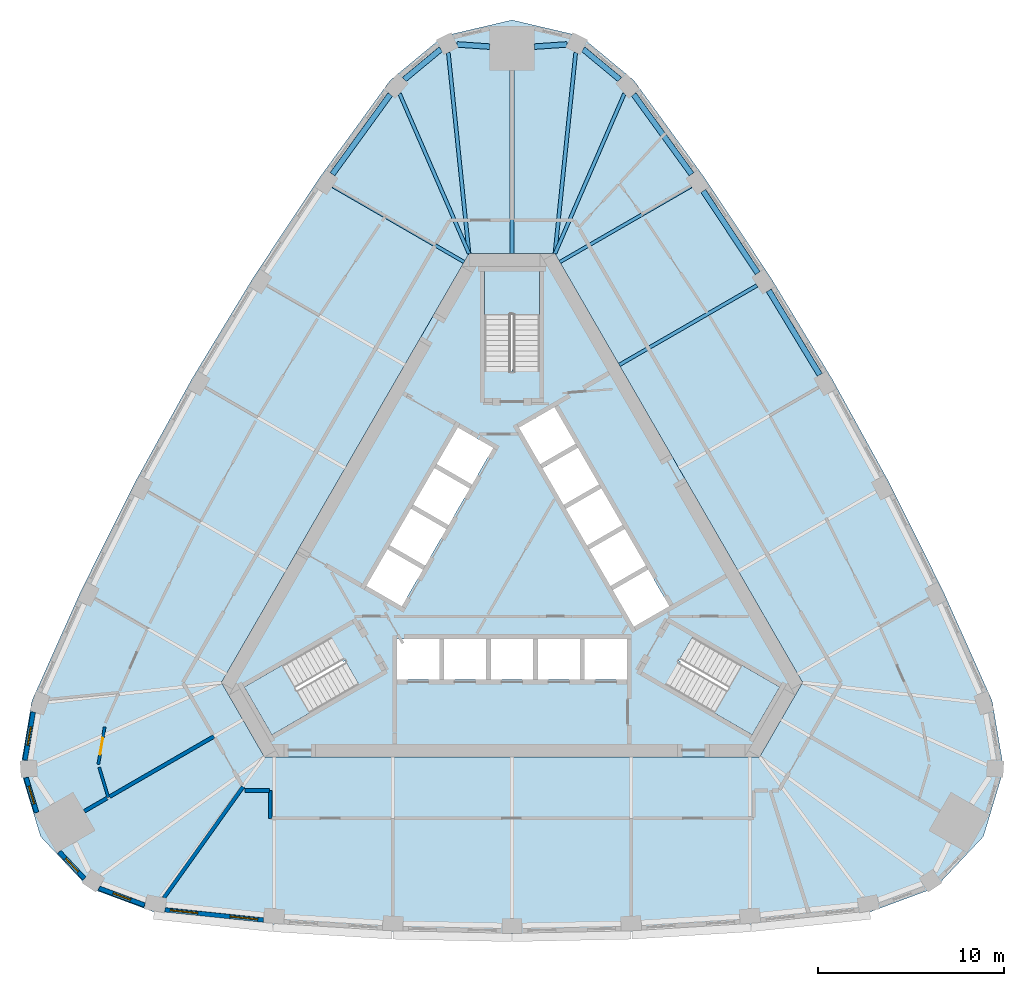
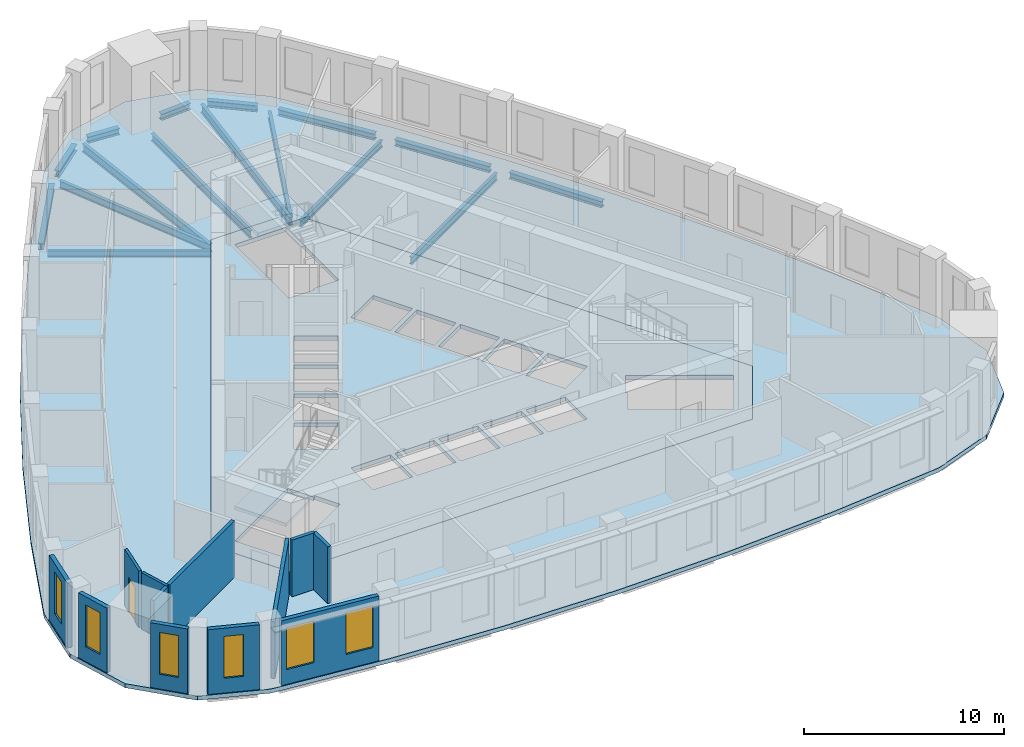
# One storey, part 2 of 11: 16 beams, 12 walls, 6 windows, 5 slabs, 1 door, 7 openings, 3 elements without a shape of their own.
"""IFC4 building model written with IfcOpenShell, lengths in metres."""

from ifc_helpers import new_model, si_unit, direction, frame, frame_2d, origin, origin_2d, place, context, subcontext, project, spatial, polyline, rectangle, i_section, outline, extrude, material, layer, layer_set, material_profile, profile_set, type_object, element, fill, aggregate, save


model = new_model("IFC4")

# Units and contexts
model_context = context("Model", 3, precision=1e-05, world=origin(), true_north=direction((0.0, 1.0)))
body_context = subcontext(model_context, "Body", "Model", "MODEL_VIEW")
ifc_project = project(units=[si_unit("LENGTHUNIT", "METRE"), si_unit("AREAUNIT", "SQUARE_METRE"), si_unit("VOLUMEUNIT", "CUBIC_METRE"), si_unit("PLANEANGLEUNIT", "RADIAN"), si_unit("MASSUNIT", "GRAM", prefix="KILO")], contexts=[model_context])

# Site, building, storey
site_placement = place(None, origin())
site = spatial("IfcSite", under=ifc_project, at=site_placement, CompositionType="ELEMENT")
building_placement = place(site_placement, origin())
building = spatial("IfcBuilding", under=site, at=building_placement, Name="Mestral Congress Tower", CompositionType="ELEMENT")
storey_placement = place(building_placement, frame((0.0, 0.0, 205.800048828125)))
storey = spatial("IfcBuildingStorey", under=building, at=storey_placement, Name="L48", CompositionType="ELEMENT", Elevation=205.800048828125)

# Beams
ifc_material_1 = material(Name="Steel S355", Category="steel")
ifc_material_profile_1 = material_profile(ifc_material_1, i_section(OverallWidth=0.179931640625, OverallDepth=0.39990234375, WebThickness=0.008544921875, FlangeThickness=0.013427734375, FilletRadius=0.02099609375, at=origin_2d()), Name="IPE 400")
ifc_profile_set_1 = profile_set([ifc_material_profile_1], Name="Steel S355")
beam_type_1 = type_object("IfcBeamType", Name="Floor beam IPE 400 S355", PredefinedType="BEAM", material=ifc_profile_set_1)
for number, where, z_axis, x_axis, name in (
    (1, (9.627197265625, 20.321533203125, -0.449951171875), (-0.86601443812, -0.500018992608, 0.0), (0.500018992608, -0.86601443812, 0.0), "BM-L48-RB4-E05"),
    (2, (-9.627197265625, 20.321533203125, -0.449951171875), (0.86601443812, -0.500018992608, 0.0), (0.500018992608, 0.86601443812, 0.0), "BM-L48-RB4-W01"),
):
    element("IfcBeam", number, at=place(storey_placement, frame(where, z_axis=z_axis, x_axis=x_axis)), inside=storey, type_object=beam_type_1, Name=name, PredefinedType="BEAM", context=body_context, shape_type="SweptSolid", body=[
        extrude(i_section(OverallWidth=0.179931640625, OverallDepth=0.39990234375, WebThickness=0.008544921875, FlangeThickness=0.013427734375, FilletRadius=0.02099609375, at=origin_2d()), origin(), (0.0, 0.0, 1.0), 8.148193359375),
    ])
ifc_material_profile_2 = material_profile(ifc_material_1, i_section(OverallWidth=0.18994140625, OverallDepth=0.449951171875, WebThickness=0.009521484375, FlangeThickness=0.0146484375, FilletRadius=0.02099609375, at=origin_2d()), Name="IPE 450")
ifc_profile_set_2 = profile_set([ifc_material_profile_2], Name="Steel S355")
beam_type_2 = type_object("IfcBeamType", Name="Floor beam IPE 450 S355", PredefinedType="BEAM", material=ifc_profile_set_2)
beam_1_placement = place(storey_placement, frame((13.16650390625, 14.98974609375, -0.47509765625), z_axis=(-0.866028621479, -0.499994426748, 0.0), x_axis=(0.499994426748, -0.866028621479, 0.0)))
element("IfcBeam", 3, at=beam_1_placement, inside=storey, type_object=beam_type_2, Name="BM-L48-RB4-E04", PredefinedType="BEAM", context=body_context, shape_type="SweptSolid", body=[
    extrude(i_section(OverallWidth=0.18994140625, OverallDepth=0.449951171875, WebThickness=0.009521484375, FlangeThickness=0.0146484375, FilletRadius=0.02099609375, at=origin_2d()), origin(), (0.0, 0.0, 1.0), 8.54736328125),
])
beam_2_placement = place(storey_placement, frame((6.0419921875, 25.296875, -0.47509765625), z_axis=(-0.398265997009, -0.91726996878, 0.0), x_axis=(0.91726996878, -0.398265997009, 0.0)))
element("IfcBeam", 4, at=beam_2_placement, inside=storey, type_object=beam_type_2, Name="BM-L48-RB4-E06", PredefinedType="BEAM", context=body_context, shape_type="SweptSolid", body=[
    extrude(i_section(OverallWidth=0.18994140625, OverallDepth=0.449951171875, WebThickness=0.009521484375, FlangeThickness=0.0146484375, FilletRadius=0.02099609375, at=origin_2d()), origin(), (0.0, 0.0, 1.0), 9.372314453125),
])
beam_3_placement = place(storey_placement, frame((0.0, 26.54443359375, -0.47509765625), z_axis=(0.0, -1.0, 0.0), x_axis=(1.0, 0.0, 0.0)))
element("IfcBeam", 5, at=beam_3_placement, inside=storey, type_object=beam_type_2, Name="BM-L48-RB4-N", PredefinedType="BEAM", context=body_context, shape_type="SweptSolid", body=[
    extrude(i_section(OverallWidth=0.18994140625, OverallDepth=0.449951171875, WebThickness=0.009521484375, FlangeThickness=0.0146484375, FilletRadius=0.02099609375, at=origin_2d()), origin(), (0.0, 0.0, 1.0), 9.844482421875),
])
beam_4_placement = place(storey_placement, frame((-6.0419921875, 25.296875, -0.47509765625), z_axis=(0.398265997009, -0.91726996878, 0.0), x_axis=(0.91726996878, 0.398265997009, 0.0)))
element("IfcBeam", 6, at=beam_4_placement, inside=storey, type_object=beam_type_2, Name="BM-L48-RB4-W00", PredefinedType="BEAM", context=body_context, shape_type="SweptSolid", body=[
    extrude(i_section(OverallWidth=0.18994140625, OverallDepth=0.449951171875, WebThickness=0.009521484375, FlangeThickness=0.0146484375, FilletRadius=0.02099609375, at=origin_2d()), origin(), (0.0, 0.0, 1.0), 9.372314453125),
])
ifc_material_profile_3 = material_profile(ifc_material_1, i_section(OverallWidth=0.199951171875, OverallDepth=0.5, WebThickness=0.01025390625, FlangeThickness=0.01611328125, FilletRadius=0.02099609375, at=origin_2d()), Name="IPE 500")
ifc_profile_set_3 = profile_set([ifc_material_profile_3], Name="Steel S355")
beam_type_3 = type_object("IfcBeamType", Name="Floor beam IPE 500 S355", PredefinedType="BEAM", material=ifc_profile_set_3)
for number, where, z_axis, x_axis, name in (
    (7, (3.4228515625, 27.5009765625, -0.5), (-0.102550876252, -0.994727760636, 0.0), (0.994727760636, -0.102550876252, 0.0), "BM-L48-RB4-N1"),
    (8, (-3.4228515625, 27.5009765625, -0.5), (0.102550876252, -0.994727760636, 0.0), (0.994727760636, 0.102550876252, 0.0), "BM-L48-RB4-N3"),
):
    element("IfcBeam", number, at=place(storey_placement, frame(where, z_axis=z_axis, x_axis=x_axis)), inside=storey, type_object=beam_type_3, Name=name, PredefinedType="BEAM", context=body_context, shape_type="SweptSolid", body=[
        extrude(i_section(OverallWidth=0.199951171875, OverallDepth=0.5, WebThickness=0.01025390625, FlangeThickness=0.01611328125, FilletRadius=0.02099609375, at=origin_2d()), origin(), (0.0, 0.0, 1.0), 10.858154296875),
    ])
ifc_material_profile_4 = material_profile(ifc_material_1, i_section(OverallWidth=0.300048828125, OverallDepth=0.389892578125, WebThickness=0.010986328125, FlangeThickness=0.01904296875, FilletRadius=0.027099609375, at=origin_2d()), Name="HEA 400")
ifc_profile_set_4 = profile_set([ifc_material_profile_4], Name="Steel S355")
beam_type_4 = type_object("IfcBeamType", Name="Spandrel beam HEA 400 S355", PredefinedType="BEAM", material=ifc_profile_set_4)
for number, where, z_axis, x_axis, name in (
    (9, (16.54248046875, 10.185791015625, -0.445068359375), (-0.517865676042, 0.855461946306, 0.0), (-0.855461946306, -0.517865676042, 0.0), "SP-L48-SB4-E03"),
    (10, (13.209228515625, 15.648193359375, -0.445068359375), (-0.552934106774, 0.833224983762, 0.0), (-0.833224983762, -0.552934106774, 0.0), "SP-L48-SB4-E04"),
):
    element("IfcBeam", number, at=place(storey_placement, frame(where, z_axis=z_axis, x_axis=x_axis)), inside=storey, type_object=beam_type_4, Name=name, PredefinedType="BEAM", context=body_context, shape_type="SweptSolid", body=[
        extrude(i_section(OverallWidth=0.300048828125, OverallDepth=0.389892578125, WebThickness=0.010986328125, FlangeThickness=0.01904296875, FilletRadius=0.027099609375, at=origin_2d()), origin(), (0.0, 0.0, 1.0), 5.29931640625),
    ])
beam_5_placement = place(storey_placement, frame((9.652099609375, 20.967529296875, -0.445068359375), z_axis=(-0.587017415163, 0.809574304369, 0.0), x_axis=(-0.809574304369, -0.587017415163, 0.0)))
element("IfcBeam", 11, at=beam_5_placement, inside=storey, type_object=beam_type_4, Name="SP-L48-SB4-E05", PredefinedType="BEAM", context=body_context, shape_type="SweptSolid", body=[
    extrude(i_section(OverallWidth=0.300048828125, OverallDepth=0.389892578125, WebThickness=0.010986328125, FlangeThickness=0.01904296875, FilletRadius=0.027099609375, at=origin_2d()), origin(), (0.0, 0.0, 1.0), 5.29736328125),
])
beam_6_placement = place(storey_placement, frame((5.789306640625, 26.058837890625, -0.445068359375), z_axis=(-0.769970431757, 0.638079567311, 0.0), x_axis=(-0.638079567311, -0.769970431757, 0.0)))
element("IfcBeam", 12, at=beam_6_placement, inside=storey, type_object=beam_type_4, Name="SP-L48-SB4-E06", PredefinedType="BEAM", context=body_context, shape_type="SweptSolid", body=[
    extrude(i_section(OverallWidth=0.300048828125, OverallDepth=0.389892578125, WebThickness=0.010986328125, FlangeThickness=0.01904296875, FilletRadius=0.027099609375, at=origin_2d()), origin(), (0.0, 0.0, 1.0), 2.547119140625),
])
for number, where, z_axis, x_axis, name in (
    (13, (2.9521484375, 27.94384765625, -0.445068359375), (-0.997724466462, -0.067423208337, 0.0), (0.067423208337, -0.997724466462, 0.0), "SP-L48-SB4-N1"),
    (14, (-1.199951171875, 27.825439453125, -0.445068359375), (-0.997724466462, 0.067423208337, 0.0), (-0.067423208337, -0.997724466462, 0.0), "SP-L48-SB4-N"),
):
    element("IfcBeam", number, at=place(storey_placement, frame(where, z_axis=z_axis, x_axis=x_axis)), inside=storey, type_object=beam_type_4, Name=name, PredefinedType="BEAM", context=body_context, shape_type="SweptSolid", body=[
        extrude(i_section(OverallWidth=0.300048828125, OverallDepth=0.389892578125, WebThickness=0.010986328125, FlangeThickness=0.01904296875, FilletRadius=0.027099609375, at=origin_2d()), origin(), (0.0, 0.0, 1.0), 1.756103515625),
    ])
beam_7_placement = place(storey_placement, frame((-3.828125, 27.68408203125, -0.445068359375), z_axis=(-0.769970431757, -0.638079567311, 0.0), x_axis=(0.638079567311, -0.769970431757, 0.0)))
element("IfcBeam", 15, at=beam_7_placement, inside=storey, type_object=beam_type_4, Name="SP-L48-SB4-N3", PredefinedType="BEAM", context=body_context, shape_type="SweptSolid", body=[
    extrude(i_section(OverallWidth=0.300048828125, OverallDepth=0.389892578125, WebThickness=0.010986328125, FlangeThickness=0.01904296875, FilletRadius=0.027099609375, at=origin_2d()), origin(), (0.0, 0.0, 1.0), 2.547119140625),
])
beam_8_placement = place(storey_placement, frame((-6.54248046875, 25.256103515625, -0.445068359375), z_axis=(-0.587017415163, -0.809574304369, 0.0), x_axis=(0.809574304369, -0.587017415163, 0.0)))
element("IfcBeam", 16, at=beam_8_placement, inside=storey, type_object=beam_type_4, Name="SP-L48-SB4-W00", PredefinedType="BEAM", context=body_context, shape_type="SweptSolid", body=[
    extrude(i_section(OverallWidth=0.300048828125, OverallDepth=0.389892578125, WebThickness=0.010986328125, FlangeThickness=0.01904296875, FilletRadius=0.027099609375, at=origin_2d()), origin(), (0.0, 0.0, 1.0), 5.29736328125),
])

# Slabs
ifc_material_2 = material(Name="Concrete C35/45", Category="concrete")
ifc_layer_1 = layer(ifc_material_2, 0.25)
ifc_layer_set_1 = layer_set([ifc_layer_1], Name="Concrete C35/45")
slab_type_1 = type_object("IfcSlabType", Name="Composite floor slab 250", PredefinedType="FLOOR", material=ifc_layer_set_1)
placement_1 = place(storey_placement, frame((0.0, 0.0, -0.25)))
element("IfcSlab", 17, at=placement_1, inside=storey, type_object=slab_type_1, Name="SL-L48", PredefinedType="FLOOR", context=body_context, shape_type="SweptSolid", body=[
    extrude(outline(polyline([(-19.253662109375, -18.678466796875), (-22.75, -17.381591796875), (-25.3369140625, -14.62841796875), (-26.427978515625, -11.01123046875), (-25.802978515625, -7.334716796875), (-23.16748046875, -1.4306640625), (-20.310302734375, 4.316650390625), (-17.21728515625, 9.9404296875), (-13.8935546875, 15.430908203125), (-10.3447265625, 20.77880859375), (-6.54931640625, 26.013427734375), (-3.677978515625, 28.392822265625), (0.0, 29.256591796875), (3.677978515625, 28.392822265625), (6.54931640625, 26.013427734375), (10.3447265625, 20.77880859375), (13.8935546875, 15.430908203125), (17.21728515625, 9.9404296875), (20.310302734375, 4.316650390625), (23.16748046875, -1.4306640625), (25.802978515625, -7.334716796875), (26.427978515625, -11.01123046875), (25.3369140625, -14.62841796875), (22.75, -17.381591796875), (19.253662109375, -18.678466796875), (12.822509765625, -19.34814453125), (6.416748046875, -19.74755859375), (0.0, -19.880615234375), (-6.416748046875, -19.74755859375), (-12.822509765625, -19.34814453125), (-19.253662109375, -18.678466796875)]), holes=[polyline([(-2.309326171875, 16.699951171875), (-15.6171875, -6.35009765625), (-13.307861328125, -10.35009765625), (13.307861328125, -10.35009765625), (15.6171875, -6.35009765625), (2.309326171875, 16.699951171875), (-2.309326171875, 16.699951171875)])]), origin(), (0.0, 0.0, 1.0), 0.25),
])
ifc_material_3 = material(Name="Concrete C60/75", Category="concrete")
ifc_layer_2 = layer(ifc_material_3, 0.25)
ifc_layer_set_2 = layer_set([ifc_layer_2], Name="Concrete C60/75")
slab_type_2 = type_object("IfcSlabType", Name="Core floor slab RC 250", PredefinedType="FLOOR", material=ifc_layer_set_2)
element("IfcSlab", 18, at=placement_1, inside=storey, type_object=slab_type_2, Name="L48 core floor", PredefinedType="FLOOR", context=body_context, shape_type="SweptSolid", body=[
    extrude(outline(polyline([(13.307861328125, -10.35009765625), (-13.307861328125, -10.35009765625), (-15.6171875, -6.35009765625), (-2.309326171875, 16.699951171875), (2.309326171875, 16.699951171875), (15.6171875, -6.35009765625), (13.307861328125, -10.35009765625)]), holes=[polyline([(-9.8046875, -3.95751953125), (-14.37744140625, -6.59765625), (-12.90234375, -9.15234375), (-8.234619140625, -6.45751953125), (-8.971923828125, -5.179931640625), (-9.0673828125, -5.235107421875), (-9.8046875, -3.95751953125)]), polyline([(-3.905029296875, -4.0), (-6.175048828125, -4.0), (-6.175048828125, -6.199951171875), (-3.905029296875, -6.199951171875), (-3.905029296875, -4.0)]), polyline([(-1.385009765625, -4.0), (-3.655029296875, -4.0), (-3.655029296875, -6.199951171875), (-1.385009765625, -6.199951171875), (-1.385009765625, -4.0)]), polyline([(1.135009765625, -4.0), (-1.135009765625, -4.0), (-1.135009765625, -6.199951171875), (1.135009765625, -6.199951171875), (1.135009765625, -4.0)]), polyline([(-5.921630859375, -2.256591796875), (-4.78662109375, -0.29052734375), (-6.69189453125, 0.809326171875), (-7.826904296875, -1.156494140625), (-5.921630859375, -2.256591796875)]), polyline([(-4.66162109375, -0.07421875), (-3.526611328125, 1.8916015625), (-5.431884765625, 2.99169921875), (-6.56689453125, 1.02587890625), (-4.66162109375, -0.07421875)]), polyline([(-3.401611328125, 2.1083984375), (-2.2666015625, 4.07421875), (-4.171875, 5.174072265625), (-5.306884765625, 3.208251953125), (-3.401611328125, 2.1083984375)]), polyline([(-2.1416015625, 4.29052734375), (-1.006591796875, 6.256591796875), (-2.911865234375, 7.3564453125), (-4.046875, 5.390625), (-2.1416015625, 4.29052734375)]), polyline([(1.47509765625, 10.469970703125), (1.47509765625, 15.75), (-1.47509765625, 15.75), (-1.47509765625, 10.360107421875), (0.0, 10.360107421875), (0.0, 10.469970703125), (1.47509765625, 10.469970703125)]), polyline([(8.329833984375, -6.512451171875), (12.90234375, -9.15234375), (14.37744140625, -6.59765625), (9.70947265625, -3.902587890625), (8.971923828125, -5.179931640625), (9.0673828125, -5.235107421875), (8.329833984375, -6.512451171875)]), polyline([(3.655029296875, -4.0), (1.385009765625, -4.0), (1.385009765625, -6.199951171875), (3.655029296875, -6.199951171875), (3.655029296875, -4.0)]), polyline([(6.175048828125, -4.0), (3.905029296875, -4.0), (3.905029296875, -6.199951171875), (6.175048828125, -6.199951171875), (6.175048828125, -4.0)]), polyline([(5.41650390625, -1.3818359375), (6.551513671875, -3.34765625), (8.456787109375, -2.247802734375), (7.322021484375, -0.28173828125), (5.41650390625, -1.3818359375)]), polyline([(4.156494140625, 0.800537109375), (5.29150390625, -1.165283203125), (7.197021484375, -0.065185546875), (6.06201171875, 1.900634765625), (4.156494140625, 0.800537109375)]), polyline([(2.896484375, 2.98291015625), (4.031494140625, 1.01708984375), (5.93701171875, 2.1171875), (4.802001953125, 4.0830078125), (2.896484375, 2.98291015625)]), polyline([(3.5419921875, 6.265380859375), (1.63671875, 5.165283203125), (2.771484375, 3.199462890625), (4.677001953125, 4.29931640625), (3.5419921875, 6.265380859375)]), polyline([(2.281982421875, 8.44775390625), (0.376708984375, 7.34765625), (1.51171875, 5.3818359375), (3.4169921875, 6.481689453125), (2.281982421875, 8.44775390625)])]), origin(), (0.0, 0.0, 1.0), 0.25),
])

# Stair, slab
stair_type = type_object("IfcStairType", Name="Exit stair 1400", PredefinedType="HALF_TURN_STAIR", material=ifc_material_3)
placement_2 = place(storey_placement, origin())
stair_1 = element("IfcStair", 19, at=placement_2, inside=storey, type_object=stair_type, Name="L48 ST1", PredefinedType="HALF_TURN_STAIR")
ifc_layer_3 = layer(ifc_material_3, 0.199951171875)
ifc_layer_set_3 = layer_set([ifc_layer_3], Name="Concrete C60/75")
slab_type_3 = type_object("IfcSlabType", Name="Exit stair landing 200", PredefinedType="LANDING", material=ifc_layer_set_3)
placement_3 = place(storey_placement, frame((0.0, 0.0, 1.89990234375)))
slab_3 = element("IfcSlab", 20, at=placement_3, type_object=slab_type_3, Name="ST1 landing 1", PredefinedType="LANDING", context=body_context, shape_type="SweptSolid", body=[
    extrude(outline(polyline([(10.879638671875, -7.99609375), (12.364501953125, -5.424072265625), (14.39111328125, -6.593994140625), (12.906005859375, -9.166015625), (10.879638671875, -7.99609375)])), origin(), (0.0, 0.0, 1.0), 0.199951171875),
])
aggregate(stair_1, [slab_3])

stair_2 = element("IfcStair", 21, at=placement_2, inside=storey, type_object=stair_type, Name="L48 ST2", PredefinedType="HALF_TURN_STAIR")
slab_4 = element("IfcSlab", 22, at=placement_3, type_object=slab_type_3, Name="ST2 landing 1", PredefinedType="LANDING", context=body_context, shape_type="SweptSolid", body=[
    extrude(outline(polyline([(1.485107421875, 13.419921875), (-1.485107421875, 13.419921875), (-1.485107421875, 15.760009765625), (1.485107421875, 15.760009765625), (1.485107421875, 13.419921875)])), origin(), (0.0, 0.0, 1.0), 0.199951171875),
])
aggregate(stair_2, [slab_4])

stair_3 = element("IfcStair", 23, at=placement_2, inside=storey, type_object=stair_type, Name="L48 ST3", PredefinedType="HALF_TURN_STAIR")
slab_5 = element("IfcSlab", 24, at=placement_3, type_object=slab_type_3, Name="ST3 landing 1", PredefinedType="LANDING", context=body_context, shape_type="SweptSolid", body=[
    extrude(outline(polyline([(-12.364501953125, -5.424072265625), (-10.879638671875, -7.99609375), (-12.906005859375, -9.166015625), (-14.39111328125, -6.593994140625), (-12.364501953125, -5.424072265625)])), origin(), (0.0, 0.0, 1.0), 0.199951171875),
])
aggregate(stair_3, [slab_5])

# Wall, openings, windows
ifc_material_4 = material(Name="Precast concrete C40/50 with limestone facing", Category="masonry")
ifc_layer_4 = layer(ifc_material_4, 0.239990234375)
ifc_layer_set_4 = layer_set([ifc_layer_4], Name="Precast concrete C40/50 with limestone facing")
wall_type_1 = type_object("IfcWallType", Name="Facade stone wall 240", PredefinedType="SOLIDWALL", material=ifc_layer_set_4)
wall_1_placement = place(storey_placement, frame((-18.644287109375, -18.571044921875, 0.0), z_axis=(0.0, 0.0, 1.0), x_axis=(0.994621961215, -0.103571976272, 0.0)))
wall_1 = element("IfcWall", 25, at=wall_1_placement, inside=storey, type_object=wall_type_1, Name="Facade wall F0-00", PredefinedType="SOLIDWALL", context=body_context, shape_type="SweptSolid", body=[
    extrude(rectangle(XDim=5.310791015625, YDim=0.239990234375, at=frame_2d((2.6552734375, 0.0))), origin(), (0.0, 0.0, 1.0), 3.949951171875),
])
opening_1_placement = place(wall_1_placement, frame((0.271484375, 0.0, 0.89990234375)))
opening_1 = element("IfcOpeningElement", 26, at=opening_1_placement, cuts=wall_1, Name="Opening W4", PredefinedType="OPENING", context=body_context, shape_type="SweptSolid", body=[
    extrude(rectangle(XDim=1.5, YDim=2.550048828125, at=frame_2d((0.75, 1.27490234375))), frame((0.0, 0.1298828125, 0.0), z_axis=(0.0, -1.0, 0.0), x_axis=(1.0, 0.0, 0.0)), (0.0, 0.0, 1.0), 0.260009765625),
])
opening_2_placement = place(wall_1_placement, frame((3.50439453125, 0.0, 0.89990234375)))
opening_2 = element("IfcOpeningElement", 27, at=opening_2_placement, cuts=wall_1, Name="Opening W4", PredefinedType="OPENING", context=body_context, shape_type="SweptSolid", body=[
    extrude(rectangle(XDim=1.5, YDim=2.550048828125, at=frame_2d((0.75, 1.27490234375))), frame((0.0, 0.1298828125, 0.0), z_axis=(0.0, -1.0, 0.0), x_axis=(1.0, 0.0, 0.0)), (0.0, 0.0, 1.0), 0.260009765625),
])
ifc_material_5 = material(Name="Clear low-emissivity double glazing", Category="glass")
window_type_1 = type_object("IfcWindowType", Name="Facade punched window 1500 x 2550 sill 900", PartitioningType="SINGLE_PANEL", PredefinedType="WINDOW", material=ifc_material_5)
window_1_placement = place(opening_1_placement, origin())
window_1 = element("IfcWindow", 28, at=window_1_placement, inside=storey, type_object=window_type_1, Name="Window F0-00a", OverallHeight=2.550048828125, OverallWidth=1.5, PartitioningType="SINGLE_PANEL", PredefinedType="WINDOW", context=body_context, shape_type="SweptSolid", body=[
    extrude(rectangle(XDim=1.5, YDim=2.550048828125, at=frame_2d((0.75, 1.27490234375))), frame((0.0, 0.0400390625, 0.0), z_axis=(0.0, -1.0, 0.0), x_axis=(1.0, 0.0, 0.0)), (0.0, 0.0, 1.0), 0.06005859375),
])
fill(opening_1, window_1)
window_2_placement = place(opening_2_placement, origin())
window_2 = element("IfcWindow", 29, at=window_2_placement, inside=storey, type_object=window_type_1, Name="Window F0-00b", OverallHeight=2.550048828125, OverallWidth=1.5, PartitioningType="SINGLE_PANEL", PredefinedType="WINDOW", context=body_context, shape_type="SweptSolid", body=[
    extrude(rectangle(XDim=1.5, YDim=2.550048828125, at=frame_2d((0.75, 1.27490234375))), frame((0.0, 0.0400390625, 0.0), z_axis=(0.0, -1.0, 0.0), x_axis=(1.0, 0.0, 0.0)), (0.0, 0.0, 1.0), 0.06005859375),
])
fill(opening_2, window_2)

# Wall, opening, window
wall_2_placement = place(storey_placement, frame((-25.734130859375, -7.94482421875, 0.0), z_axis=(0.0, 0.0, 1.0), x_axis=(-0.167660055546, -0.985844869021, 0.0)))
wall_2 = element("IfcWall", 30, at=wall_2_placement, inside=storey, type_object=wall_type_1, Name="Facade wall K2-0", PredefinedType="SOLIDWALL", context=body_context, shape_type="SweptSolid", body=[
    extrude(rectangle(XDim=2.609375, YDim=0.239990234375, at=frame_2d((1.3046875, 0.0))), origin(), (0.0, 0.0, 1.0), 3.949951171875),
])
opening_3_placement = place(wall_2_placement, frame((0.8046875, 0.0, 0.89990234375)))
opening_3 = element("IfcOpeningElement", 31, at=opening_3_placement, cuts=wall_2, Name="Opening W5", PredefinedType="OPENING", context=body_context, shape_type="SweptSolid", body=[
    extrude(rectangle(XDim=1.0, YDim=2.550048828125, at=frame_2d((0.5, 1.27490234375))), frame((0.0, 0.1298828125, 0.0), z_axis=(0.0, -1.0, 0.0), x_axis=(1.0, 0.0, 0.0)), (0.0, 0.0, 1.0), 0.260009765625),
])
window_type_2 = type_object("IfcWindowType", Name="Facade punched window 1000 x 2550 sill 900", PartitioningType="SINGLE_PANEL", PredefinedType="WINDOW", material=ifc_material_5)
window_3_placement = place(opening_3_placement, origin())
window_3 = element("IfcWindow", 32, at=window_3_placement, inside=storey, type_object=window_type_2, Name="Window K2-0", OverallHeight=2.550048828125, OverallWidth=1.0, PartitioningType="SINGLE_PANEL", PredefinedType="WINDOW", context=body_context, shape_type="SweptSolid", body=[
    extrude(rectangle(XDim=1.0, YDim=2.550048828125, at=frame_2d((0.5, 1.27490234375))), frame((0.0, 0.0400390625, 0.0), z_axis=(0.0, -1.0, 0.0), x_axis=(1.0, 0.0, 0.0)), (0.0, 0.0, 1.0), 0.06005859375),
])
fill(opening_3, window_3)

wall_3_placement = place(storey_placement, frame((-26.1123046875, -11.469482421875, 0.0), z_axis=(0.0, 0.0, 1.0), x_axis=(0.288727209095, -0.957411405159, 0.0)))
wall_3 = element("IfcWall", 33, at=wall_3_placement, inside=storey, type_object=wall_type_1, Name="Facade wall K2-1", PredefinedType="SOLIDWALL", context=body_context, shape_type="SweptSolid", body=[
    extrude(rectangle(XDim=1.9482421875, YDim=0.239990234375, at=frame_2d((0.97412109375, 0.0))), origin(), (0.0, 0.0, 1.0), 3.949951171875),
])
opening_4_placement = place(wall_3_placement, frame((0.47412109375, 0.0, 0.89990234375)))
opening_4 = element("IfcOpeningElement", 34, at=opening_4_placement, cuts=wall_3, Name="Opening W5", PredefinedType="OPENING", context=body_context, shape_type="SweptSolid", body=[
    extrude(rectangle(XDim=1.0, YDim=2.550048828125, at=frame_2d((0.5, 1.27490234375))), frame((0.0, 0.1298828125, 0.0), z_axis=(0.0, -1.0, 0.0), x_axis=(1.0, 0.0, 0.0)), (0.0, 0.0, 1.0), 0.260009765625),
])
window_4_placement = place(opening_4_placement, origin())
window_4 = element("IfcWindow", 35, at=window_4_placement, inside=storey, type_object=window_type_2, Name="Window K2-1", OverallHeight=2.550048828125, OverallWidth=1.0, PartitioningType="SINGLE_PANEL", PredefinedType="WINDOW", context=body_context, shape_type="SweptSolid", body=[
    extrude(rectangle(XDim=1.0, YDim=2.550048828125, at=frame_2d((0.5, 1.27490234375))), frame((0.0, 0.0400390625, 0.0), z_axis=(0.0, -1.0, 0.0), x_axis=(1.0, 0.0, 0.0)), (0.0, 0.0, 1.0), 0.06005859375),
])
fill(opening_4, window_4)

wall_4_placement = place(storey_placement, frame((-24.322998046875, -15.459228515625, 0.0), z_axis=(0.0, 0.0, 1.0), x_axis=(0.684770274166, -0.728758994194, 0.0)))
wall_4 = element("IfcWall", 36, at=wall_4_placement, inside=storey, type_object=wall_type_1, Name="Facade wall K2-2", PredefinedType="SOLIDWALL", context=body_context, shape_type="SweptSolid", body=[
    extrude(rectangle(XDim=1.947998046875, YDim=0.239990234375, at=frame_2d((0.97412109375, 0.0))), origin(), (0.0, 0.0, 1.0), 3.949951171875),
])
opening_5_placement = place(wall_4_placement, frame((0.47412109375, 0.0, 0.89990234375)))
opening_5 = element("IfcOpeningElement", 37, at=opening_5_placement, cuts=wall_4, Name="Opening W5", PredefinedType="OPENING", context=body_context, shape_type="SweptSolid", body=[
    extrude(rectangle(XDim=1.0, YDim=2.550048828125, at=frame_2d((0.5, 1.27490234375))), frame((0.0, 0.1298828125, 0.0), z_axis=(0.0, -1.0, 0.0), x_axis=(1.0, 0.0, 0.0)), (0.0, 0.0, 1.0), 0.260009765625),
])
window_5_placement = place(opening_5_placement, origin())
window_5 = element("IfcWindow", 38, at=window_5_placement, inside=storey, type_object=window_type_2, Name="Window K2-2", OverallHeight=2.550048828125, OverallWidth=1.0, PartitioningType="SINGLE_PANEL", PredefinedType="WINDOW", context=body_context, shape_type="SweptSolid", body=[
    extrude(rectangle(XDim=1.0, YDim=2.550048828125, at=frame_2d((0.5, 1.27490234375))), frame((0.0, 0.0400390625, 0.0), z_axis=(0.0, -1.0, 0.0), x_axis=(1.0, 0.0, 0.0)), (0.0, 0.0, 1.0), 0.06005859375),
])
fill(opening_5, window_5)

wall_5_placement = place(storey_placement, frame((-22.194091796875, -17.406494140625, 0.0), z_axis=(0.0, 0.0, 1.0), x_axis=(0.937569171184, -0.347798863203, 0.0)))
wall_5 = element("IfcWall", 39, at=wall_5_placement, inside=storey, type_object=wall_type_1, Name="Facade wall K2-3", PredefinedType="SOLIDWALL", context=body_context, shape_type="SweptSolid", body=[
    extrude(rectangle(XDim=2.609130859375, YDim=0.239990234375, at=frame_2d((1.3046875, 0.0))), origin(), (0.0, 0.0, 1.0), 3.949951171875),
])
opening_6_placement = place(wall_5_placement, frame((0.8046875, 0.0, 0.89990234375)))
opening_6 = element("IfcOpeningElement", 40, at=opening_6_placement, cuts=wall_5, Name="Opening W5", PredefinedType="OPENING", context=body_context, shape_type="SweptSolid", body=[
    extrude(rectangle(XDim=1.0, YDim=2.550048828125, at=frame_2d((0.5, 1.27490234375))), frame((0.0, 0.1298828125, 0.0), z_axis=(0.0, -1.0, 0.0), x_axis=(1.0, 0.0, 0.0)), (0.0, 0.0, 1.0), 0.260009765625),
])
window_6_placement = place(opening_6_placement, origin())
window_6 = element("IfcWindow", 41, at=window_6_placement, inside=storey, type_object=window_type_2, Name="Window K2-3", OverallHeight=2.550048828125, OverallWidth=1.0, PartitioningType="SINGLE_PANEL", PredefinedType="WINDOW", context=body_context, shape_type="SweptSolid", body=[
    extrude(rectangle(XDim=1.0, YDim=2.550048828125, at=frame_2d((0.5, 1.27490234375))), frame((0.0, 0.0400390625, 0.0), z_axis=(0.0, -1.0, 0.0), x_axis=(1.0, 0.0, 0.0)), (0.0, 0.0, 1.0), 0.06005859375),
])
fill(opening_6, window_6)

# Wall, opening, door
ifc_material_6 = material(Name="Plasterboard partition on steel studs", Category="steel")
ifc_layer_5 = layer(ifc_material_6, 0.14990234375)
ifc_layer_set_5 = layer_set([ifc_layer_5], Name="Plasterboard partition on steel studs")
wall_type_2 = type_object("IfcWallType", Name="Office partition 150", PredefinedType="PARTITIONING", material=ifc_layer_set_5)
wall_6_placement = place(storey_placement, frame((-22.23486328125, -10.75, 0.0), z_axis=(0.0, 0.0, 1.0), x_axis=(0.167623442148, 0.985851095066, 0.0)))
wall_6 = element("IfcWall", 42, at=wall_6_placement, inside=storey, type_object=wall_type_2, Name="Partition", PredefinedType="PARTITIONING", context=body_context, shape_type="SweptSolid", body=[
    extrude(rectangle(XDim=2.03759765625, YDim=0.14990234375, at=frame_2d((1.018798828125, 0.0))), origin(), (0.0, 0.0, 1.0), 3.449951171875),
])
opening_7_placement = place(wall_6_placement, frame((0.53759765625, 0.0, 0.0)))
opening_7 = element("IfcOpeningElement", 43, at=opening_7_placement, cuts=wall_6, Name="Opening O06-017", PredefinedType="OPENING", context=body_context, shape_type="SweptSolid", body=[
    extrude(rectangle(XDim=0.89990234375, YDim=2.10009765625, at=frame_2d((0.449951171875, 1.050048828125))), frame((0.0, 0.0849609375, 0.0), z_axis=(0.0, -1.0, 0.0), x_axis=(1.0, 0.0, 0.0)), (0.0, 0.0, 1.0), 0.169921875),
])
ifc_material_7 = material(Name="Timber door set", Category="wood")
door_type = type_object("IfcDoorType", Name="Office door 900x2100", OperationType="SINGLE_SWING_LEFT", PredefinedType="DOOR", material=ifc_material_7)
door_placement = place(opening_7_placement, origin())
door = element("IfcDoor", 44, at=door_placement, inside=storey, type_object=door_type, Name="Door O06-017", OperationType="SINGLE_SWING_LEFT", OverallHeight=2.10009765625, OverallWidth=0.89990234375, PredefinedType="DOOR", context=body_context, shape_type="SweptSolid", body=[
    extrude(rectangle(XDim=0.89990234375, YDim=2.10009765625, at=frame_2d((0.449951171875, 1.050048828125))), frame((0.0, 0.02490234375, 0.0), z_axis=(0.0, -1.0, 0.0), x_axis=(1.0, 0.0, 0.0)), (0.0, 0.0, 1.0), 0.050048828125),
])
fill(opening_7, door)

# Walls
wall_7_placement = place(storey_placement, frame((-22.186279296875, -10.9111328125, 0.0), z_axis=(0.0, 0.0, 1.0), x_axis=(0.288899576463, -0.957359407286, 0.0)))
element("IfcWall", 45, at=wall_7_placement, inside=storey, type_object=wall_type_2, Name="Partition", PredefinedType="PARTITIONING", context=body_context, shape_type="SweptSolid", body=[
    extrude(rectangle(XDim=1.6884765625, YDim=0.14990234375, at=frame_2d((0.84423828125, 0.0))), origin(), (0.0, 0.0, 1.0), 3.449951171875),
])
ifc_material_8 = material(Name="Dense masonry wall, plastered", Category="masonry")
ifc_layer_6 = layer(ifc_material_8, 0.199951171875)
ifc_layer_set_6 = layer_set([ifc_layer_6], Name="Dense masonry wall, plastered")
wall_type_3 = type_object("IfcWallType", Name="Office tenancy wall 200", PredefinedType="PARTITIONING", material=ifc_layer_set_6)
wall_8_placement = place(storey_placement, frame((-18.708984375, -17.915771484375, 0.0), z_axis=(0.0, 0.0, 1.0), x_axis=(0.581023578026, 0.813886725397, 0.0)))
element("IfcWall", 46, at=wall_8_placement, inside=storey, type_object=wall_type_3, Name="Tenancy wall", PredefinedType="PARTITIONING", context=body_context, shape_type="SweptSolid", body=[
    extrude(rectangle(XDim=7.318115234375, YDim=0.199951171875, at=frame_2d((3.6591796875, 0.0))), origin(), (0.0, 0.0, 1.0), 3.449951171875),
])
wall_9_placement = place(storey_placement, frame((-13.0, -12.14990234375, 0.0), z_axis=(0.0, 0.0, 1.0), x_axis=(0.0, -1.0, 0.0)))
element("IfcWall", 47, at=wall_9_placement, inside=storey, type_object=wall_type_3, Name="Tenancy wall", PredefinedType="PARTITIONING", context=body_context, shape_type="SweptSolid", body=[
    extrude(rectangle(XDim=1.5, YDim=0.199951171875, at=frame_2d((0.75, 0.0))), origin(), (0.0, 0.0, 1.0), 3.449951171875),
])
wall_10_placement = place(storey_placement, frame((-14.34716796875, -12.14990234375, 0.0), z_axis=(0.0, 0.0, 1.0), x_axis=(1.0, 0.0, 0.0)))
element("IfcWall", 48, at=wall_10_placement, inside=storey, type_object=wall_type_3, Name="Tenancy wall", PredefinedType="PARTITIONING", context=body_context, shape_type="SweptSolid", body=[
    extrude(rectangle(XDim=1.317138671875, YDim=0.199951171875, at=frame_2d((0.65869140625, 0.0))), origin(), (0.0, 0.0, 1.0), 3.449951171875),
])
wall_11_placement = place(storey_placement, frame((-21.765380859375, -12.566162109375, 0.0), z_axis=(0.0, 0.0, 1.0), x_axis=(-0.866021473228, -0.500006807861, 0.0)))
element("IfcWall", 49, at=wall_11_placement, inside=storey, type_object=wall_type_3, Name="Tenancy wall", PredefinedType="PARTITIONING", context=body_context, shape_type="SweptSolid", body=[
    extrude(rectangle(XDim=1.412109375, YDim=0.199951171875, at=frame_2d((0.7060546875, 0.0))), origin(), (0.0, 0.0, 1.0), 3.449951171875),
])
wall_12_placement = place(storey_placement, frame((-16.021484375, -9.25, 0.0), z_axis=(0.0, 0.0, 1.0), x_axis=(-0.86601739438, -0.500013872438, 0.0)))
element("IfcWall", 50, at=wall_12_placement, inside=storey, type_object=wall_type_3, Name="Tenancy wall", PredefinedType="PARTITIONING", context=body_context, shape_type="SweptSolid", body=[
    extrude(rectangle(XDim=6.478271484375, YDim=0.199951171875, at=frame_2d((3.2392578125, 0.0))), origin(), (0.0, 0.0, 1.0), 3.449951171875),
])

save(model, "model.ifc")
